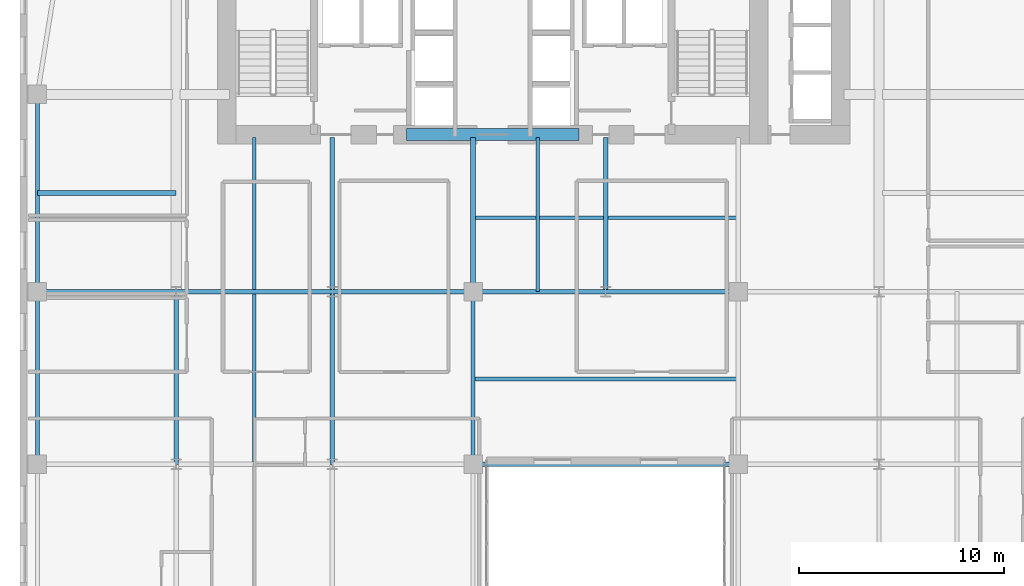
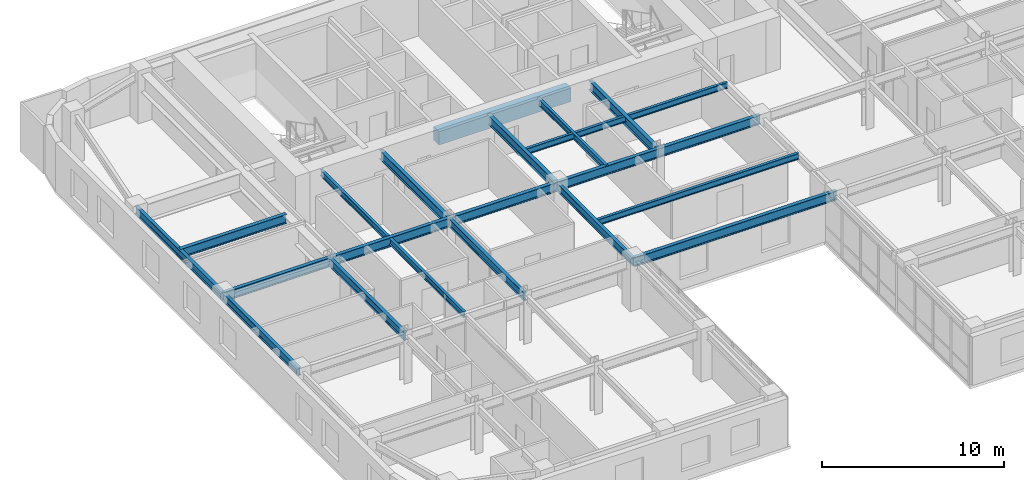
# One storey, part 4 of 16: 21 beams.
"""IFC4 building model written with IfcOpenShell, lengths in metres."""

import ifcopenshell
import ifcopenshell.guid

model = None  # the IFC model being written
_history = None  # IfcOwnerHistory: only IFC2X3 demands one
_inside = {}  # id of a spatial element -> (the spatial element, [elements in it])
_under = {}  # id of a project, library or spatial element -> (it, [spatial elements below it])
_declared = {}  # id of a project -> (the project, [libraries it declares])
_typed = {}  # id of a type object -> (the type object, [elements of that type])
_made_of = {}  # id of a material, layer set ... -> (it, [elements and type objects made of it])


def new_model(schema):
    """Start an empty IFC model of exactly this schema.

    Asked for "IFC4X3", IfcOpenShell would pick the latest addendum, in which some entities
    have other attributes; the version numbers below select the first issue.
    IFC2X3 requires an IfcOwnerHistory on every rooted entity: one is made here for all.
    """
    global model, _history
    if schema == "IFC4X3":
        model = ifcopenshell.file(schema_version=(4, 3, 0, 0))
    else:
        model = ifcopenshell.file(schema=schema)
    _inside.clear()
    _under.clear()
    _declared.clear()
    _typed.clear()
    _made_of.clear()
    _history = None
    if model.schema == "IFC2X3":
        org = make("IfcOrganization", Name="unknown")
        user = make(
            "IfcPersonAndOrganization",
            ThePerson=make("IfcPerson", FamilyName="unknown"),
            TheOrganization=org,
        )
        app = make(
            "IfcApplication",
            ApplicationDeveloper=org,
            Version="unknown",
            ApplicationFullName="unknown",
            ApplicationIdentifier="unknown",
        )
        _history = make(
            "IfcOwnerHistory",
            OwningUser=user,
            OwningApplication=app,
            ChangeAction="ADDED",
            CreationDate=0,
        )
    return model


def make(cls, **values):
    """One entity of the class cls with the attributes given. An attribute that is None is left unset."""
    return model.create_entity(
        cls, **{name: value for name, value in values.items() if value is not None}
    )


def rooted(cls, **values):
    """An entity with a GlobalId (a new one), such as an element, a storey or a relation."""
    return make(cls, GlobalId=ifcopenshell.guid.new(), OwnerHistory=_history, **values)


def si_unit(unit_type, name, prefix=None):
    """IfcSIUnit, for example si_unit("LENGTHUNIT", "METRE", prefix="MILLI")."""
    return make("IfcSIUnit", UnitType=unit_type, Prefix=prefix, Name=name)


def assignment(units):
    """IfcUnitAssignment: the units of a project."""
    return None if units is None else make("IfcUnitAssignment", Units=units)


def point(xyz):
    """IfcCartesianPoint."""
    return None if xyz is None else make("IfcCartesianPoint", Coordinates=xyz)


def direction(xyz):
    """IfcDirection."""
    return None if xyz is None else make("IfcDirection", DirectionRatios=xyz)


def frame(location, z_axis=None, x_axis=None):
    """IfcAxis2Placement3D, a coordinate frame: its origin and axes. An axis left out is left unset."""
    return make(
        "IfcAxis2Placement3D",
        Location=point(location),
        Axis=direction(z_axis),
        RefDirection=direction(x_axis),
    )


def frame_2d(location, x_axis=None):
    """IfcAxis2Placement2D, a coordinate frame in the plane: its origin and x axis."""
    return make(
        "IfcAxis2Placement2D", Location=point(location), RefDirection=direction(x_axis)
    )


def origin():
    """The frame at (0, 0, 0) with its axes left unset."""
    return frame((0.0, 0.0, 0.0))


def origin_2d():
    """The frame at (0, 0) in the plane with its x axis left unset."""
    return frame_2d((0.0, 0.0))


def place(relative_to, where):
    """IfcLocalPlacement: puts the frame where relative to a parent placement (None: the world)."""
    return make(
        "IfcLocalPlacement", PlacementRelTo=relative_to, RelativePlacement=where
    )


def context(
    kind, dimensions, precision=None, world=None, true_north=None, identifier=None
):
    """IfcGeometricRepresentationContext, for example the 3D "Model" context."""
    return make(
        "IfcGeometricRepresentationContext",
        ContextIdentifier=identifier,
        ContextType=kind,
        CoordinateSpaceDimension=dimensions,
        Precision=precision,
        WorldCoordinateSystem=world,
        TrueNorth=true_north,
    )


def subcontext(parent, identifier, kind, view, scale=None):
    """IfcGeometricRepresentationSubContext, for example "Body" below "Model"."""
    return make(
        "IfcGeometricRepresentationSubContext",
        ContextIdentifier=identifier,
        ContextType=kind,
        ParentContext=parent,
        TargetScale=scale,
        TargetView=view,
    )


def project(units=None, contexts=None):
    """IfcProject with its units and contexts."""
    return rooted(
        "IfcProject",
        Name="project",
        RepresentationContexts=contexts,
        UnitsInContext=assignment(units),
    )


def spatial(cls, under=None, at=None, **own):
    """A site, building, storey or space (cls), placed at a placement, below another one or the project."""
    s = rooted(cls, ObjectPlacement=at, **own)
    if under is not None:
        _under.setdefault(under.id(), (under, []))[1].append(s)
    return s


def profile(cls, at=None, kind="AREA", **sizes):
    """A parametric profile (cls). Its sizes go by their IFC names, for example OverallWidth=200.0."""
    return make(cls, ProfileType=kind, Position=at, **sizes)


def rectangle(**sizes):
    """IfcRectangleProfileDef."""
    return profile("IfcRectangleProfileDef", **sizes)


def i_section(**sizes):
    """IfcIShapeProfileDef."""
    return profile("IfcIShapeProfileDef", **sizes)


def extrude(swept, where, along, depth):
    """IfcExtrudedAreaSolid: the profile swept, set in the frame where, extruded along a direction by depth."""
    return make(
        "IfcExtrudedAreaSolid",
        SweptArea=swept,
        Position=where,
        ExtrudedDirection=direction(along),
        Depth=depth,
    )


def shape(context_of_items, identifier, shape_type, items):
    """IfcShapeRepresentation: the items that make up one representation, for example the "Body"."""
    return make(
        "IfcShapeRepresentation",
        ContextOfItems=context_of_items,
        RepresentationIdentifier=identifier,
        RepresentationType=shape_type,
        Items=items,
    )


def source(mapping_origin, context_of_items, identifier, shape_type, items):
    """IfcRepresentationMap: a shape defined once, which mapped items show again and again."""
    return make(
        "IfcRepresentationMap",
        MappingOrigin=mapping_origin,
        MappedRepresentation=shape(context_of_items, identifier, shape_type, items),
    )


def transform(
    local_origin,
    x_axis=None,
    y_axis=None,
    z_axis=None,
    scale=None,
    scale2=None,
    scale3=None,
    uniform=True,
):
    """IfcCartesianTransformationOperator3D, or its non-uniform kind. x_axis, y_axis, z_axis: its Axis1, 2, 3."""
    if uniform:
        return make(
            "IfcCartesianTransformationOperator3D",
            Axis1=direction(x_axis),
            Axis2=direction(y_axis),
            LocalOrigin=point(local_origin),
            Scale=scale,
            Axis3=direction(z_axis),
        )
    return make(
        "IfcCartesianTransformationOperator3DnonUniform",
        Axis1=direction(x_axis),
        Axis2=direction(y_axis),
        LocalOrigin=point(local_origin),
        Scale=scale,
        Axis3=direction(z_axis),
        Scale2=scale2,
        Scale3=scale3,
    )


def mapped(mapping_source, mapping_target):
    """IfcMappedItem: shows the shape of a source again, moved by a transform."""
    return make(
        "IfcMappedItem", MappingSource=mapping_source, MappingTarget=mapping_target
    )


def material(Name=None, Category=None):
    """IfcMaterial."""
    return make("IfcMaterial", Name=Name, Category=Category)


def material_profile(
    of_material, cross_section, Name=None, Category=None, Priority=None
):
    """IfcMaterialProfile: a cross section and its material."""
    return make(
        "IfcMaterialProfile",
        Name=Name,
        Material=of_material,
        Profile=cross_section,
        Priority=Priority,
        Category=Category,
    )


def profile_set(profiles, Name=None, composite=None):
    """IfcMaterialProfileSet."""
    return make(
        "IfcMaterialProfileSet",
        Name=Name,
        MaterialProfiles=profiles,
        CompositeProfile=composite,
    )


def made_of(thing, what):
    """Note that an element or type object is made of a material, layer set ...; save() writes the relation."""
    if what is not None:
        _made_of.setdefault(what.id(), (what, []))[1].append(thing)
    return thing


def type_object(cls, material=None, **own):
    """A type object (cls), such as IfcWallType, which elements share."""
    return made_of(rooted(cls, **own), material)


def type_shapes(of_type, sources):
    """Give a type object the sources (RepresentationMaps) that its elements show as mapped items."""
    of_type.RepresentationMaps = sources


def element(
    cls,
    number,
    at=None,
    inside=None,
    cuts=None,
    type_object=None,
    material=None,
    context=None,
    identifier="Body",
    shape_type=None,
    held_by="IfcProductDefinitionShape",
    body=None,
    shapes=None,
    **own,
):
    """One element of the class cls, such as IfcWall. Its Tag is "e" and its number.

    at: its placement. inside: the storey or other place that contains it. cuts: it is an
    opening in that element (IfcRelVoidsElement). A single representation is given by context,
    identifier, shape_type and body (its items); several are given by shapes. held_by: the class
    of the entity that holds the representations. save() writes the other relations.
    """
    e = rooted(cls, Tag="e%d" % number, ObjectPlacement=at, **own)
    if body is not None:
        shapes = [shape(context, identifier, shape_type, body)]
    if shapes is not None:
        e.Representation = make(held_by, Representations=shapes)
    if inside is not None:
        _inside.setdefault(inside.id(), (inside, []))[1].append(e)
    if cuts is not None:
        rooted(
            "IfcRelVoidsElement", RelatingBuildingElement=cuts, RelatedOpeningElement=e
        )
    if type_object is not None:
        _typed.setdefault(type_object.id(), (type_object, []))[1].append(e)
    return made_of(e, material)


def aggregate(whole, parts):
    """IfcRelAggregates: a whole, such as a stair, and the parts it consists of."""
    return rooted("IfcRelAggregates", RelatingObject=whole, RelatedObjects=parts)


def save(model, path):
    """Write the relations noted so far, then the file.

    IfcRelAggregates (storeys below a building ...), IfcRelContainedInSpatialStructure (elements
    in a storey), IfcRelDefinesByType, IfcRelAssociatesMaterial and IfcRelDeclares: one each for
    every whole, place, type object, material and project.
    """
    for whole, parts in _under.values():
        aggregate(whole, parts)
    for where, things in _inside.values():
        rooted(
            "IfcRelContainedInSpatialStructure",
            RelatedElements=things,
            RelatingStructure=where,
        )
    for kind, things in _typed.values():
        rooted("IfcRelDefinesByType", RelatedObjects=things, RelatingType=kind)
    for what, things in _made_of.values():
        rooted("IfcRelAssociatesMaterial", RelatedObjects=things, RelatingMaterial=what)
    for by, libraries in _declared.values():
        rooted("IfcRelDeclares", RelatingContext=by, RelatedDefinitions=libraries)
    model.write(path)


model = new_model("IFC4")

# Units and contexts
model_context = context("Model", 3, precision=1e-05, world=origin(), true_north=direction((0.0, 1.0)))
body_context = subcontext(model_context, "Body", "Model", "MODEL_VIEW")
ifc_project = project(units=[si_unit("LENGTHUNIT", "METRE"), si_unit("AREAUNIT", "SQUARE_METRE"), si_unit("VOLUMEUNIT", "CUBIC_METRE"), si_unit("PLANEANGLEUNIT", "RADIAN"), si_unit("MASSUNIT", "GRAM", prefix="KILO")], contexts=[model_context])

# Site, building, storey
site_placement = place(None, origin())
site = spatial("IfcSite", under=ifc_project, at=site_placement, CompositionType="ELEMENT")
building_placement = place(site_placement, origin())
building = spatial("IfcBuilding", under=site, at=building_placement, Name="Tolvann Quenvar Hotel", CompositionType="ELEMENT")
storey_placement = place(building_placement, frame((0.0, 0.0, 92.35009765625)))
storey = spatial("IfcBuildingStorey", under=building, at=storey_placement, Name="L23", CompositionType="ELEMENT", Elevation=92.35009765625)

# Beams
ifc_material_1 = material(Name="Concrete N50 (50 MPa)", Category="concrete")
ifc_material_profile_1 = material_profile(ifc_material_1, rectangle(XDim=0.60009765625, YDim=0.89990234375, at=origin_2d()), Name="RC600x900")
ifc_profile_set_1 = profile_set([ifc_material_profile_1], Name="Concrete N50 (50 MPa)")
beam_type_1 = type_object("IfcBeamType", Name="BM_LINT_RC600x900", PredefinedType="LINTEL", material=ifc_profile_set_1)
shared_shape_1 = source(origin(), body_context, "Body", "SweptSolid", [
    extrude(rectangle(XDim=0.60009765625, YDim=0.89990234375, at=origin_2d()), origin(), (0.0, 0.0, 1.0), 8.39990234375),
])
type_shapes(beam_type_1, [shared_shape_1])
beam_1_placement = place(storey_placement, frame((18.800048828125, 32.050048828125, 2.7998046875), z_axis=(1.0, 0.0, 0.0), x_axis=(0.0, 1.0, 0.0)))
element("IfcBeam", 1, at=beam_1_placement, inside=storey, type_object=beam_type_1, Name="Core Coupling Lintel Beam (L23)", PredefinedType="LINTEL", context=body_context, shape_type="MappedRepresentation", body=[
    mapped(shared_shape_1, transform((0.0, 0.0, 0.0), x_axis=(1.0, 0.0, 0.0), y_axis=(0.0, 1.0, 0.0), z_axis=(0.0, 0.0, 1.0), scale=1.0)),
])
ifc_material_2 = material(Name="Steel Grade 350", Category="steel")
ifc_material_profile_2 = material_profile(ifc_material_2, i_section(OverallWidth=0.22900390625, OverallDepth=0.612060546875, WebThickness=0.011962890625, FlangeThickness=0.01953125, FilletRadius=0.013916015625, at=origin_2d()), Name="610UB125")
ifc_profile_set_2 = profile_set([ifc_material_profile_2], Name="Steel Grade 350")
beam_type_2 = type_object("IfcBeamType", Name="BM_GIRD_610UB125", PredefinedType="BEAM", material=ifc_profile_set_2)
shared_shape_2 = source(origin(), body_context, "Body", "SweptSolid", [
    extrude(i_section(OverallWidth=0.22900390625, OverallDepth=0.612060546875, WebThickness=0.011962890625, FlangeThickness=0.01953125, FilletRadius=0.013916015625, at=origin_2d()), origin(), (0.0, 0.0, 1.0), 6.75),
])
for number, where, z_axis, x_axis, name in (
    (2, (0.85009765625, 24.39990234375, 2.94384765625), (1.0, 0.0, 0.0), (0.0, 1.0, 0.0), "BM-L23-EW-5-B5-C5"),
    (3, (0.85009765625, 29.199951171875, 2.94384765625), (1.0, 0.0, 0.0), (0.0, 1.0, 0.0), "BM-L23-EW-BC29"),
):
    element("IfcBeam", number, at=place(storey_placement, frame(where, z_axis=z_axis, x_axis=x_axis)), inside=storey, type_object=beam_type_2, Name=name, PredefinedType="BEAM", context=body_context, shape_type="MappedRepresentation", body=[
        mapped(shared_shape_2, transform((0.0, 0.0, 0.0), x_axis=(1.0, 0.0, 0.0), y_axis=(0.0, 1.0, 0.0), z_axis=(0.0, 0.0, 1.0), scale=1.0)),
    ])
shared_shape_3 = source(origin(), body_context, "Body", "SweptSolid", [
    extrude(i_section(OverallWidth=0.22900390625, OverallDepth=0.612060546875, WebThickness=0.011962890625, FlangeThickness=0.01953125, FilletRadius=0.013916015625, at=origin_2d()), origin(), (0.0, 0.0, 1.0), 7.599853515625),
])
beam_2_placement = place(storey_placement, frame((7.60009765625, 24.39990234375, 2.94384765625), z_axis=(1.0, 0.0, 0.0), x_axis=(0.0, 1.0, 0.0)))
element("IfcBeam", 4, at=beam_2_placement, inside=storey, type_object=beam_type_2, Name="BM-L23-EW-5-C5-D5", PredefinedType="BEAM", context=body_context, shape_type="MappedRepresentation", body=[
    mapped(shared_shape_3, transform((0.0, 0.0, 0.0), x_axis=(1.0, 0.0, 0.0), y_axis=(0.0, 1.0, 0.0), z_axis=(0.0, 0.0, 1.0), scale=1.0)),
])
shared_shape_4 = source(origin(), body_context, "Body", "SweptSolid", [
    extrude(i_section(OverallWidth=0.22900390625, OverallDepth=0.612060546875, WebThickness=0.011962890625, FlangeThickness=0.01953125, FilletRadius=0.013916015625, at=origin_2d()), origin(), (0.0, 0.0, 1.0), 6.85009765625),
])
beam_3_placement = place(storey_placement, frame((15.199951171875, 24.39990234375, 2.94384765625), z_axis=(1.0, 0.0, 0.0), x_axis=(0.0, 1.0, 0.0)))
element("IfcBeam", 5, at=beam_3_placement, inside=storey, type_object=beam_type_2, Name="BM-L23-EW-5-D5-E5", PredefinedType="BEAM", context=body_context, shape_type="MappedRepresentation", body=[
    mapped(shared_shape_4, transform((0.0, 0.0, 0.0), x_axis=(1.0, 0.0, 0.0), y_axis=(0.0, 1.0, 0.0), z_axis=(0.0, 0.0, 1.0), scale=1.0)),
])
shared_shape_5 = source(origin(), body_context, "Body", "SweptSolid", [
    extrude(i_section(OverallWidth=0.22900390625, OverallDepth=0.612060546875, WebThickness=0.011962890625, FlangeThickness=0.01953125, FilletRadius=0.013916015625, at=origin_2d()), origin(), (0.0, 0.0, 1.0), 12.89990234375),
])
beam_4_placement = place(storey_placement, frame((22.050048828125, 16.0, 2.94384765625), z_axis=(1.0, 0.0, 0.0), x_axis=(0.0, 1.0, 0.0)))
element("IfcBeam", 6, at=beam_4_placement, inside=storey, type_object=beam_type_2, Name="BM-L23-EW-4-E4-F4", PredefinedType="BEAM", context=body_context, shape_type="MappedRepresentation", body=[
    mapped(shared_shape_5, transform((0.0, 0.0, 0.0), x_axis=(1.0, 0.0, 0.0), y_axis=(0.0, 1.0, 0.0), z_axis=(0.0, 0.0, 1.0), scale=1.0)),
])
shared_shape_6 = source(origin(), body_context, "Body", "SweptSolid", [
    extrude(i_section(OverallWidth=0.22900390625, OverallDepth=0.612060546875, WebThickness=0.011962890625, FlangeThickness=0.01953125, FilletRadius=0.013916015625, at=origin_2d()), origin(), (0.0, 0.0, 1.0), 6.449951171875),
])
for number, where, z_axis, x_axis, name in (
    (7, (22.050048828125, 24.39990234375, 2.94384765625), (1.0, 0.0, 0.0), (0.0, 1.0, 0.0), "BM-L23-EW-5-E5-M5"),
    (8, (28.5, 24.39990234375, 2.94384765625), (1.0, 0.0, 0.0), (0.0, 1.0, 0.0), "BM-L23-EW-5-M5-F5"),
):
    element("IfcBeam", number, at=place(storey_placement, frame(where, z_axis=z_axis, x_axis=x_axis)), inside=storey, type_object=beam_type_2, Name=name, PredefinedType="BEAM", context=body_context, shape_type="MappedRepresentation", body=[
        mapped(shared_shape_6, transform((0.0, 0.0, 0.0), x_axis=(1.0, 0.0, 0.0), y_axis=(0.0, 1.0, 0.0), z_axis=(0.0, 0.0, 1.0), scale=1.0)),
    ])
ifc_material_profile_3 = material_profile(ifc_material_2, i_section(OverallWidth=0.208984375, OverallDepth=0.528076171875, WebThickness=0.009521484375, FlangeThickness=0.01318359375, FilletRadius=0.013916015625, at=origin_2d()), Name="530UB82")
ifc_profile_set_3 = profile_set([ifc_material_profile_3], Name="Steel Grade 350")
beam_type_3 = type_object("IfcBeamType", Name="BM_SPAND_530UB82", PredefinedType="SPANDREL", material=ifc_profile_set_3)
shared_shape_7 = source(origin(), body_context, "Body", "SweptSolid", [
    extrude(i_section(OverallWidth=0.208984375, OverallDepth=0.528076171875, WebThickness=0.009521484375, FlangeThickness=0.01318359375, FilletRadius=0.013916015625, at=origin_2d()), origin(), (0.0, 0.0, 1.0), 8.39990234375),
])
beam_5_placement = place(storey_placement, frame((0.85009765625, 16.0, 2.98583984375), z_axis=(0.0, 1.0, 0.0), x_axis=(-1.0, 0.0, 0.0)))
element("IfcBeam", 9, at=beam_5_placement, inside=storey, type_object=beam_type_3, Name="BM-L23-NS-B4-B5", PredefinedType="SPANDREL", context=body_context, shape_type="MappedRepresentation", body=[
    mapped(shared_shape_7, transform((0.0, 0.0, 0.0), x_axis=(1.0, 0.0, 0.0), y_axis=(0.0, 1.0, 0.0), z_axis=(0.0, 0.0, 1.0), scale=1.0)),
])
ifc_material_profile_4 = material_profile(ifc_material_2, i_section(OverallWidth=0.208984375, OverallDepth=0.532958984375, WebThickness=0.01025390625, FlangeThickness=0.015625, FilletRadius=0.013916015625, at=origin_2d()), Name="530UB92")
ifc_profile_set_4 = profile_set([ifc_material_profile_4], Name="Steel Grade 350")
beam_type_4 = type_object("IfcBeamType", Name="BM_GIRD_530UB92", PredefinedType="BEAM", material=ifc_profile_set_4)
shared_shape_8 = source(origin(), body_context, "Body", "SweptSolid", [
    extrude(i_section(OverallWidth=0.208984375, OverallDepth=0.532958984375, WebThickness=0.01025390625, FlangeThickness=0.015625, FilletRadius=0.013916015625, at=origin_2d()), origin(), (0.0, 0.0, 1.0), 8.39990234375),
])
type_shapes(beam_type_4, [shared_shape_8])
for number, where, z_axis, x_axis, name in (
    (10, (7.60009765625, 16.0, 2.9833984375), (0.0, 1.0, 0.0), (-1.0, 0.0, 0.0), "BM-L23-NS-C4-C5"),
    (11, (15.199951171875, 16.0, 2.9833984375), (0.0, 1.0, 0.0), (-1.0, 0.0, 0.0), "BM-L23-NS-D4-D5"),
    (12, (22.050048828125, 16.0, 2.9833984375), (0.0, 1.0, 0.0), (-1.0, 0.0, 0.0), "BM-L23-NS-E4-E5"),
):
    element("IfcBeam", number, at=place(storey_placement, frame(where, z_axis=z_axis, x_axis=x_axis)), inside=storey, type_object=beam_type_4, Name=name, PredefinedType="BEAM", context=body_context, shape_type="MappedRepresentation", body=[
        mapped(shared_shape_8, transform((0.0, 0.0, 0.0), x_axis=(1.0, 0.0, 0.0), y_axis=(0.0, 1.0, 0.0), z_axis=(0.0, 0.0, 1.0), scale=1.0)),
    ])
shared_shape_9 = source(origin(), body_context, "Body", "SweptSolid", [
    extrude(i_section(OverallWidth=0.22900390625, OverallDepth=0.612060546875, WebThickness=0.011962890625, FlangeThickness=0.01953125, FilletRadius=0.013916015625, at=origin_2d()), origin(), (0.0, 0.0, 1.0), 7.5),
])
type_shapes(beam_type_2, [shared_shape_2, shared_shape_3, shared_shape_4, shared_shape_5, shared_shape_6, shared_shape_9])
for number, where, z_axis, x_axis, name in (
    (13, (15.199951171875, 24.39990234375, 2.94384765625), (0.0, 1.0, 0.0), (-1.0, 0.0, 0.0), "BM-L23-CORE-D5"),
    (14, (22.050048828125, 24.39990234375, 2.94384765625), (0.0, 1.0, 0.0), (-1.0, 0.0, 0.0), "BM-L23-CORE-E5"),
    (15, (28.5, 24.39990234375, 2.94384765625), (0.0, 1.0, 0.0), (-1.0, 0.0, 0.0), "BM-L23-CORE-M5"),
):
    element("IfcBeam", number, at=place(storey_placement, frame(where, z_axis=z_axis, x_axis=x_axis)), inside=storey, type_object=beam_type_2, Name=name, PredefinedType="BEAM", context=body_context, shape_type="MappedRepresentation", body=[
        mapped(shared_shape_9, transform((0.0, 0.0, 0.0), x_axis=(1.0, 0.0, 0.0), y_axis=(0.0, 1.0, 0.0), z_axis=(0.0, 0.0, 1.0), scale=1.0)),
    ])
shared_shape_10 = source(origin(), body_context, "Body", "SweptSolid", [
    extrude(i_section(OverallWidth=0.208984375, OverallDepth=0.528076171875, WebThickness=0.009521484375, FlangeThickness=0.01318359375, FilletRadius=0.013916015625, at=origin_2d()), origin(), (0.0, 0.0, 1.0), 9.60009765625),
])
type_shapes(beam_type_3, [shared_shape_7, shared_shape_10])
beam_6_placement = place(storey_placement, frame((0.85009765625, 24.39990234375, 2.98583984375), z_axis=(0.0, 1.0, 0.0), x_axis=(-1.0, 0.0, 0.0)))
element("IfcBeam", 16, at=beam_6_placement, inside=storey, type_object=beam_type_3, Name="BM-L23-FLK-W1", PredefinedType="SPANDREL", context=body_context, shape_type="MappedRepresentation", body=[
    mapped(shared_shape_10, transform((0.0, 0.0, 0.0), x_axis=(1.0, 0.0, 0.0), y_axis=(0.0, 1.0, 0.0), z_axis=(0.0, 0.0, 1.0), scale=1.0)),
])
ifc_material_profile_5 = material_profile(ifc_material_2, i_section(OverallWidth=0.177978515625, OverallDepth=0.406005859375, WebThickness=0.0078125, FlangeThickness=0.0126953125, FilletRadius=0.011474609375, at=origin_2d()), Name="410UB60")
ifc_profile_set_5 = profile_set([ifc_material_profile_5], Name="Steel Grade 350")
beam_type_5 = type_object("IfcBeamType", Name="BM_JOIST_410UB60", PredefinedType="JOIST", material=ifc_profile_set_5)
shared_shape_11 = source(origin(), body_context, "Body", "SweptSolid", [
    extrude(i_section(OverallWidth=0.177978515625, OverallDepth=0.406005859375, WebThickness=0.0078125, FlangeThickness=0.0126953125, FilletRadius=0.011474609375, at=origin_2d()), origin(), (0.0, 0.0, 1.0), 12.89990234375),
])
for number, where, z_axis, x_axis, name in (
    (17, (22.050048828125, 20.14990234375, 3.046875), (1.0, 0.0, 0.0), (0.0, 1.0, 0.0), "BM-L23-SPINE-20"),
    (18, (22.050048828125, 28.0, 3.046875), (1.0, 0.0, 0.0), (0.0, 1.0, 0.0), "BM-L23-SPINE-28"),
):
    element("IfcBeam", number, at=place(storey_placement, frame(where, z_axis=z_axis, x_axis=x_axis)), inside=storey, type_object=beam_type_5, Name=name, PredefinedType="JOIST", context=body_context, shape_type="MappedRepresentation", body=[
        mapped(shared_shape_11, transform((0.0, 0.0, 0.0), x_axis=(1.0, 0.0, 0.0), y_axis=(0.0, 1.0, 0.0), z_axis=(0.0, 0.0, 1.0), scale=1.0)),
    ])
shared_shape_12 = source(origin(), body_context, "Body", "SweptSolid", [
    extrude(i_section(OverallWidth=0.177978515625, OverallDepth=0.406005859375, WebThickness=0.0078125, FlangeThickness=0.0126953125, FilletRadius=0.011474609375, at=origin_2d()), origin(), (0.0, 0.0, 1.0), 8.18310546875),
])
beam_7_placement = place(storey_placement, frame((11.39990234375, 16.1083984375, 3.046875), z_axis=(0.0, 1.0, 0.0), x_axis=(-1.0, 0.0, 0.0)))
element("IfcBeam", 19, at=beam_7_placement, inside=storey, type_object=beam_type_5, Name="BJ-L23-114-160", PredefinedType="JOIST", context=body_context, shape_type="MappedRepresentation", body=[
    mapped(shared_shape_12, transform((0.0, 0.0, 0.0), x_axis=(1.0, 0.0, 0.0), y_axis=(0.0, 1.0, 0.0), z_axis=(0.0, 0.0, 1.0), scale=1.0)),
])
shared_shape_13 = source(origin(), body_context, "Body", "SweptSolid", [
    extrude(i_section(OverallWidth=0.177978515625, OverallDepth=0.406005859375, WebThickness=0.0078125, FlangeThickness=0.0126953125, FilletRadius=0.011474609375, at=origin_2d()), origin(), (0.0, 0.0, 1.0), 7.391357421875),
])
beam_8_placement = place(storey_placement, frame((11.39990234375, 24.508544921875, 3.046875), z_axis=(0.0, 1.0, 0.0), x_axis=(-1.0, 0.0, 0.0)))
element("IfcBeam", 20, at=beam_8_placement, inside=storey, type_object=beam_type_5, Name="BJ-L23-114-244", PredefinedType="JOIST", context=body_context, shape_type="MappedRepresentation", body=[
    mapped(shared_shape_13, transform((0.0, 0.0, 0.0), x_axis=(1.0, 0.0, 0.0), y_axis=(0.0, 1.0, 0.0), z_axis=(0.0, 0.0, 1.0), scale=1.0)),
])
shared_shape_14 = source(origin(), body_context, "Body", "SweptSolid", [
    extrude(i_section(OverallWidth=0.177978515625, OverallDepth=0.406005859375, WebThickness=0.0078125, FlangeThickness=0.0126953125, FilletRadius=0.011474609375, at=origin_2d()), origin(), (0.0, 0.0, 1.0), 7.5),
])
type_shapes(beam_type_5, [shared_shape_11, shared_shape_12, shared_shape_13, shared_shape_14])
beam_9_placement = place(storey_placement, frame((25.199951171875, 24.39990234375, 3.046875), z_axis=(0.0, 1.0, 0.0), x_axis=(-1.0, 0.0, 0.0)))
element("IfcBeam", 21, at=beam_9_placement, inside=storey, type_object=beam_type_5, Name="BJ-L23-252-244", PredefinedType="JOIST", context=body_context, shape_type="MappedRepresentation", body=[
    mapped(shared_shape_14, transform((0.0, 0.0, 0.0), x_axis=(1.0, 0.0, 0.0), y_axis=(0.0, 1.0, 0.0), z_axis=(0.0, 0.0, 1.0), scale=1.0)),
])

save(model, "model.ifc")
